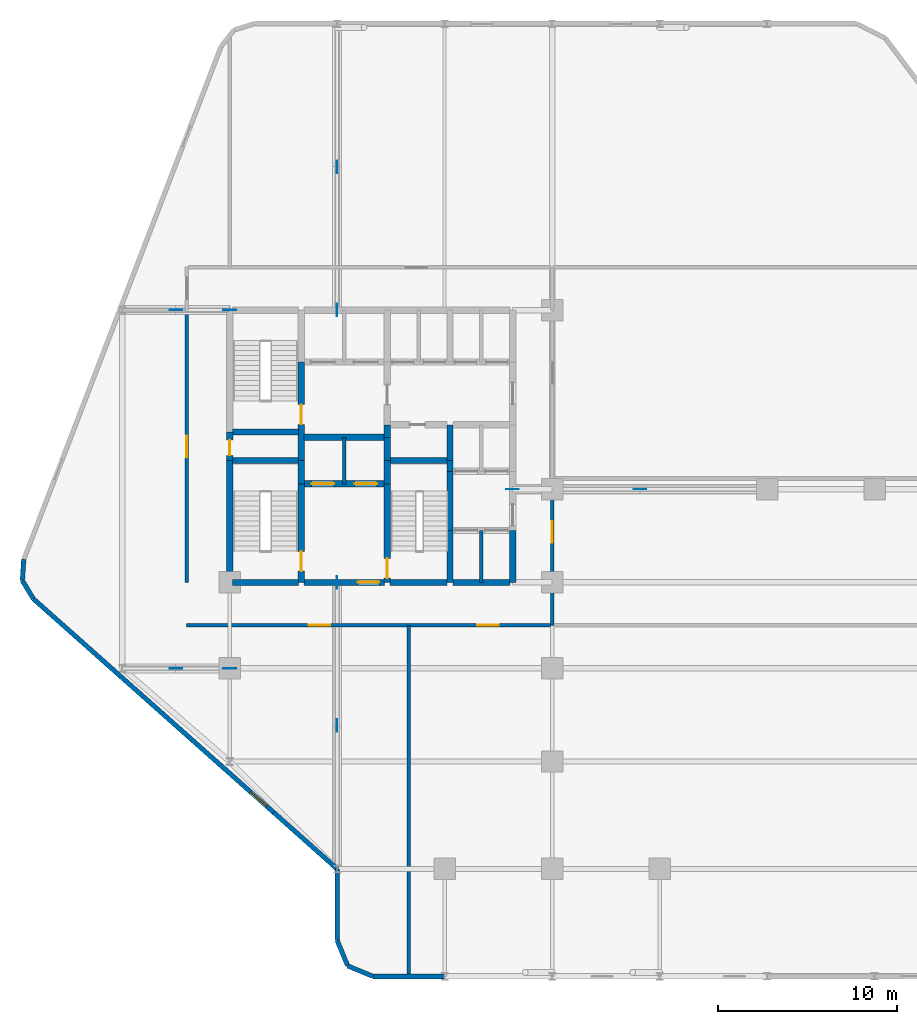
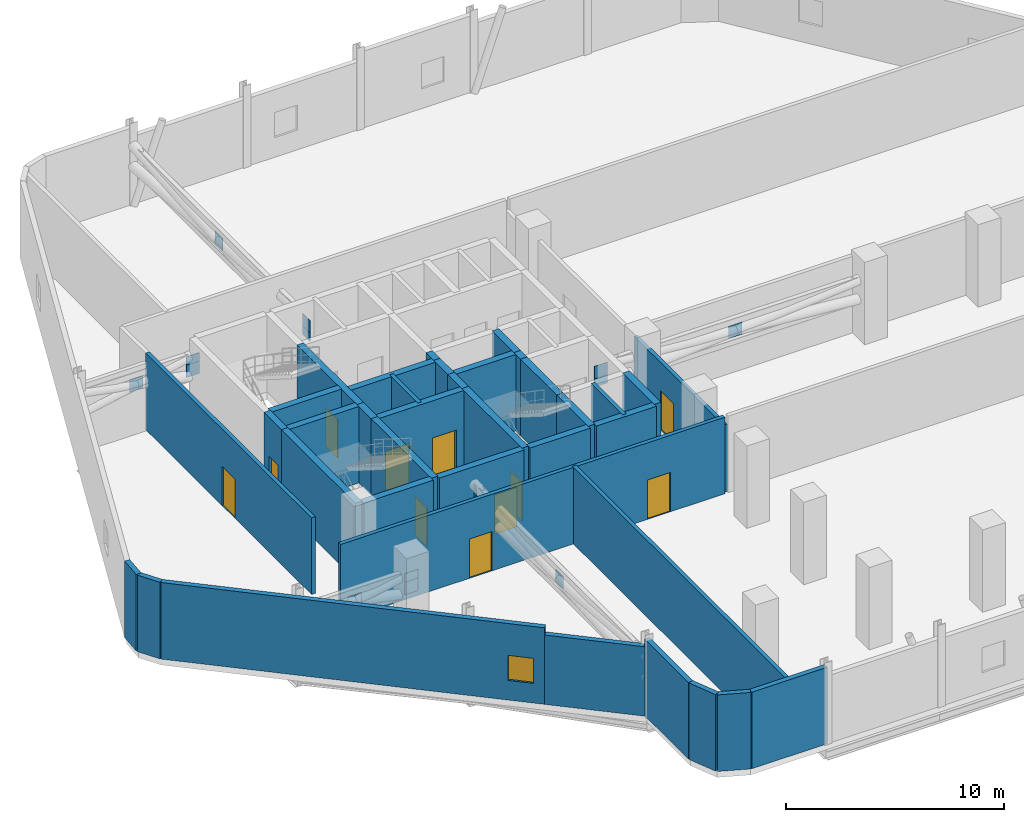
# One storey, part 5 of 9: 37 walls, 15 plates, 11 doors, 1 window, 12 openings.
"""IFC4 building model written with IfcOpenShell, lengths in metres."""

from ifc_helpers import new_model, si_unit, direction, frame, frame_2d, origin, origin_2d, place, context, subcontext, project, spatial, rectangle, extrude, material, layer, layer_set, type_object, element, fill, save


model = new_model("IFC4")

# Units and contexts
model_context = context("Model", 3, precision=1e-05, world=origin(), true_north=direction((0.0, 1.0)))
body_context = subcontext(model_context, "Body", "Model", "MODEL_VIEW")
ifc_project = project(units=[si_unit("LENGTHUNIT", "METRE"), si_unit("AREAUNIT", "SQUARE_METRE"), si_unit("VOLUMEUNIT", "CUBIC_METRE"), si_unit("PLANEANGLEUNIT", "RADIAN"), si_unit("MASSUNIT", "GRAM", prefix="KILO")], contexts=[model_context])

# Site, building, storey
site_placement = place(None, origin())
site = spatial("IfcSite", under=ifc_project, at=site_placement, CompositionType="ELEMENT")
building_placement = place(site_placement, origin())
building = spatial("IfcBuilding", under=site, at=building_placement, Name="Keshet Zoharim Tower", CompositionType="ELEMENT")
storey_placement = place(building_placement, frame((0.0, 0.0, 61.0)))
storey = spatial("IfcBuildingStorey", under=building, at=storey_placement, Name="L14", CompositionType="ELEMENT", Elevation=61.0)

# Plates
ifc_material_1 = material(Name="Steel S355", Category="steel")
ifc_layer_1 = layer(ifc_material_1, 0.02490234375)
ifc_layer_set_1 = layer_set([ifc_layer_1], Name="Steel S355")
plate_type = type_object("IfcPlateType", Name="PL-GUS-25", PredefinedType="SHEET", material=ifc_layer_set_1)
for number, where, z_axis, x_axis, name in (
    (1, (15.0, 17.89990234375, 2.14990234375), (0.0, 0.0, 1.0), (1.0, 0.0, 0.0), "L14 Core Outrigger Anchor Gusset W1"),
    (2, (15.0, 17.89990234375, 2.6201171875), (0.0, 0.0, 1.0), (1.0, 0.0, 0.0), "L14 Core Outrigger Top Chord Anchor Gusset W1"),
    (3, (12.0, 17.89990234375, 2.38525390625), (0.0, 0.0, 1.0), (1.0, 0.0, 0.0), "L14 Core Outrigger X-Crossing Gusset W1"),
    (4, (15.0, 37.89990234375, 2.14990234375), (0.0, 0.0, 1.0), (1.0, 0.0, 0.0), "L14 Core Outrigger Anchor Gusset W2"),
    (5, (15.0, 37.89990234375, 2.6201171875), (0.0, 0.0, 1.0), (1.0, 0.0, 0.0), "L14 Core Outrigger Top Chord Anchor Gusset W2"),
    (6, (12.0, 37.89990234375, 2.38525390625), (0.0, 0.0, 1.0), (1.0, 0.0, 0.0), "L14 Core Outrigger X-Crossing Gusset W2"),
    (7, (30.800048828125, 27.89990234375, 2.14990234375), (0.0, 0.0, 1.0), (1.0, 0.0, 0.0), "L14 Core Outrigger Anchor Gusset E1"),
    (8, (30.800048828125, 27.89990234375, 2.6201171875), (0.0, 0.0, 1.0), (1.0, 0.0, 0.0), "L14 Core Outrigger Top Chord Anchor Gusset E1"),
    (9, (37.89990234375, 27.89990234375, 2.38525390625), (0.0, 0.0, 1.0), (1.0, 0.0, 0.0), "L14 Core Outrigger X-Crossing Gusset E1"),
    (10, (21.0, 22.699951171875, 2.14990234375), (0.0, 0.0, 1.0), (0.0, 1.0, 0.0), "L14 Core Outrigger Anchor Gusset S1"),
    (11, (21.0, 22.699951171875, 2.6201171875), (0.0, 0.0, 1.0), (0.0, 1.0, 0.0), "L14 Core Outrigger Top Chord Anchor Gusset S1"),
    (12, (21.0, 14.699951171875, 2.38525390625), (0.0, 0.0, 1.0), (0.0, 1.0, 0.0), "L14 Core Outrigger X-Crossing Gusset S1"),
    (13, (21.0, 37.89990234375, 2.14990234375), (0.0, 0.0, 1.0), (0.0, 1.0, 0.0), "L14 Core Outrigger Anchor Gusset N1"),
    (14, (21.0, 37.89990234375, 2.6201171875), (0.0, 0.0, 1.0), (0.0, 1.0, 0.0), "L14 Core Outrigger Top Chord Anchor Gusset N1"),
    (15, (21.0, 45.89990234375, 2.38525390625), (0.0, 0.0, 1.0), (0.0, 1.0, 0.0), "L14 Core Outrigger X-Crossing Gusset N1"),
):
    element("IfcPlate", number, at=place(storey_placement, frame(where, z_axis=z_axis, x_axis=x_axis)), inside=storey, type_object=plate_type, Name=name, PredefinedType="SHEET", context=body_context, shape_type="SweptSolid", body=[
        extrude(rectangle(XDim=0.699951171875, YDim=0.02490234375, at=origin_2d()), origin(), (0.0, 0.0, 1.0), 0.699951171875),
    ])

# Wall
ifc_material_2 = material(Name="Concrete C60/75", Category="concrete")
ifc_layer_2 = layer(ifc_material_2, 0.35009765625)
ifc_layer_set_2 = layer_set([ifc_layer_2], Name="Concrete C60/75")
wall_type_1 = type_object("IfcWallType", Name="WL-CORE-350", PredefinedType="SHEAR", material=ifc_layer_set_2)
wall_1_placement = place(storey_placement, frame((15.0, 22.699951171875, 0.0), z_axis=(0.0, 0.0, 1.0), x_axis=(0.0, 1.0, 0.0)))
element("IfcWall", 16, at=wall_1_placement, inside=storey, type_object=wall_type_1, Name="L14 Core Shear Wall 003", PredefinedType="SHEAR", context=body_context, shape_type="SweptSolid", body=[
    extrude(rectangle(XDim=6.800048828125, YDim=0.35009765625, at=frame_2d((3.39990234375, 0.0))), origin(), (0.0, 0.0, 1.0), 4.280029296875),
])

# Wall, opening, door
wall_2_placement = place(storey_placement, frame((15.0, 29.5, 0.0), z_axis=(0.0, 0.0, 1.0), x_axis=(0.0, 1.0, 0.0)))
wall_2 = element("IfcWall", 17, at=wall_2_placement, inside=storey, type_object=wall_type_1, Name="L14 Core Shear Wall 004", PredefinedType="SHEAR", context=body_context, shape_type="SweptSolid", body=[
    extrude(rectangle(XDim=1.60009765625, YDim=0.35009765625, at=frame_2d((0.800048828125, 0.0))), origin(), (0.0, 0.0, 1.0), 4.280029296875),
])
opening_1_placement = place(wall_2_placement, frame((0.287109375, 0.0, 0.0)))
opening_1 = element("IfcOpeningElement", 18, at=opening_1_placement, cuts=wall_2, Name="Opening D-RS85", PredefinedType="OPENING", context=body_context, shape_type="SweptSolid", body=[
    extrude(rectangle(XDim=0.85009765625, YDim=2.10009765625, at=frame_2d((0.425048828125, 1.050048828125))), frame((0.0, 0.18505859375, 0.0), z_axis=(0.0, -1.0, 0.0), x_axis=(1.0, 0.0, 0.0)), (0.0, 0.0, 1.0), 0.3701171875),
])
ifc_material_3 = material(Name="Hardwood Timber", Category="wood")
door_type_1 = type_object("IfcDoorType", Name="DR-RIS-085", OperationType="NOTDEFINED", PredefinedType="DOOR", material=ifc_material_3)
door_1_placement = place(opening_1_placement, origin())
door_1 = element("IfcDoor", 19, at=door_1_placement, inside=storey, type_object=door_type_1, Name="L14 Electrical Riser Access Cupboard Door", OperationType="SINGLE_SWING_RIGHT", OverallHeight=2.10009765625, OverallWidth=0.85009765625, PredefinedType="DOOR", context=body_context, shape_type="SweptSolid", body=[
    extrude(rectangle(XDim=0.85009765625, YDim=2.10009765625, at=frame_2d((0.425048828125, 1.050048828125))), frame((0.0, 0.02490234375, 0.0), z_axis=(0.0, -1.0, 0.0), x_axis=(1.0, 0.0, 0.0)), (0.0, 0.0, 1.0), 0.050048828125),
])
fill(opening_1, door_1)

wall_3_placement = place(storey_placement, frame((19.0, 22.699951171875, 0.0), z_axis=(0.0, 0.0, 1.0), x_axis=(0.0, 1.0, 0.0)))
wall_3 = element("IfcWall", 20, at=wall_3_placement, inside=storey, type_object=wall_type_1, Name="L14 Core Shear Wall 007", PredefinedType="SHEAR", context=body_context, shape_type="SweptSolid", body=[
    extrude(rectangle(XDim=5.5, YDim=0.35009765625, at=frame_2d((2.75, 0.0))), origin(), (0.0, 0.0, 1.0), 4.280029296875),
])
opening_2_placement = place(wall_3_placement, frame((0.631103515625, 0.0, 0.0)))
opening_2 = element("IfcOpeningElement", 21, at=opening_2_placement, cuts=wall_3, Name="Opening D-F611", PredefinedType="OPENING", context=body_context, shape_type="SweptSolid", body=[
    extrude(rectangle(XDim=1.10009765625, YDim=2.14990234375, at=frame_2d((0.550048828125, 1.074951171875))), frame((0.0, 0.18505859375, 0.0), z_axis=(0.0, -1.0, 0.0), x_axis=(1.0, 0.0, 0.0)), (0.0, 0.0, 1.0), 0.3701171875),
])
door_type_2 = type_object("IfcDoorType", Name="DR-FD60-110", OperationType="NOTDEFINED", PredefinedType="DOOR", material=ifc_material_3)
door_2_placement = place(opening_2_placement, origin())
door_2 = element("IfcDoor", 22, at=door_2_placement, inside=storey, type_object=door_type_2, Name="L14 Exit Stair ST-01 Fire Door", OperationType="SINGLE_SWING_LEFT", OverallHeight=2.14990234375, OverallWidth=1.10009765625, PredefinedType="DOOR", context=body_context, shape_type="SweptSolid", body=[
    extrude(rectangle(XDim=1.10009765625, YDim=2.14990234375, at=frame_2d((0.550048828125, 1.074951171875))), frame((0.0, 0.02490234375, 0.0), z_axis=(0.0, -1.0, 0.0), x_axis=(1.0, 0.0, 0.0)), (0.0, 0.0, 1.0), 0.050048828125),
])
fill(opening_2, door_2)

# Wall
wall_4_placement = place(storey_placement, frame((19.0, 28.199951171875, 0.0), z_axis=(0.0, 0.0, 1.0), x_axis=(0.0, 1.0, 0.0)))
element("IfcWall", 23, at=wall_4_placement, inside=storey, type_object=wall_type_1, Name="L14 Core Shear Wall 008", PredefinedType="SHEAR", context=body_context, shape_type="SweptSolid", body=[
    extrude(rectangle(XDim=1.300048828125, YDim=0.35009765625, at=frame_2d((0.64990234375, 0.0))), origin(), (0.0, 0.0, 1.0), 4.280029296875),
])

# Wall, opening, door
wall_5_placement = place(storey_placement, frame((19.0, 29.5, 0.0), z_axis=(0.0, 0.0, 1.0), x_axis=(0.0, 1.0, 0.0)))
wall_5 = element("IfcWall", 24, at=wall_5_placement, inside=storey, type_object=wall_type_1, Name="L14 Core Shear Wall 009", PredefinedType="SHEAR", context=body_context, shape_type="SweptSolid", body=[
    extrude(rectangle(XDim=5.5, YDim=0.35009765625, at=frame_2d((2.75, 0.0))), origin(), (0.0, 0.0, 1.0), 4.280029296875),
])
opening_3_placement = place(wall_5_placement, frame((2.02490234375, 0.0, 0.0)))
opening_3 = element("IfcOpeningElement", 25, at=opening_3_placement, cuts=wall_5, Name="Opening D-F611", PredefinedType="OPENING", context=body_context, shape_type="SweptSolid", body=[
    extrude(rectangle(XDim=1.10009765625, YDim=2.14990234375, at=frame_2d((0.550048828125, 1.074951171875))), frame((0.0, 0.18505859375, 0.0), z_axis=(0.0, -1.0, 0.0), x_axis=(1.0, 0.0, 0.0)), (0.0, 0.0, 1.0), 0.3701171875),
])
door_3_placement = place(opening_3_placement, origin())
door_3 = element("IfcDoor", 26, at=door_3_placement, inside=storey, type_object=door_type_2, Name="L14 Exit Stair ST-02 Fire Door", OperationType="SINGLE_SWING_RIGHT", OverallHeight=2.14990234375, OverallWidth=1.10009765625, PredefinedType="DOOR", context=body_context, shape_type="SweptSolid", body=[
    extrude(rectangle(XDim=1.10009765625, YDim=2.14990234375, at=frame_2d((0.550048828125, 1.074951171875))), frame((0.0, 0.02490234375, 0.0), z_axis=(0.0, -1.0, 0.0), x_axis=(1.0, 0.0, 0.0)), (0.0, 0.0, 1.0), 0.050048828125),
])
fill(opening_3, door_3)

wall_6_placement = place(storey_placement, frame((23.800048828125, 22.699951171875, 0.0), z_axis=(0.0, 0.0, 1.0), x_axis=(0.0, 1.0, 0.0)))
wall_6 = element("IfcWall", 27, at=wall_6_placement, inside=storey, type_object=wall_type_1, Name="L14 Core Shear Wall 013", PredefinedType="SHEAR", context=body_context, shape_type="SweptSolid", body=[
    extrude(rectangle(XDim=5.5, YDim=0.35009765625, at=frame_2d((2.75, 0.0))), origin(), (0.0, 0.0, 1.0), 4.280029296875),
])
opening_4_placement = place(wall_6_placement, frame((0.235107421875, 0.0, 0.0)))
opening_4 = element("IfcOpeningElement", 28, at=opening_4_placement, cuts=wall_6, Name="Opening D-F611", PredefinedType="OPENING", context=body_context, shape_type="SweptSolid", body=[
    extrude(rectangle(XDim=1.10009765625, YDim=2.14990234375, at=frame_2d((0.550048828125, 1.074951171875))), frame((0.0, 0.18505859375, 0.0), z_axis=(0.0, -1.0, 0.0), x_axis=(1.0, 0.0, 0.0)), (0.0, 0.0, 1.0), 0.3701171875),
])
door_4_placement = place(opening_4_placement, frame((1.10009765625, 0.0, 0.0), z_axis=(0.0, 0.0, 1.0), x_axis=(-1.0, 0.0, 0.0)))
door_4 = element("IfcDoor", 29, at=door_4_placement, inside=storey, type_object=door_type_2, Name="L14 Exit Stair ST-03 Fire Door", OperationType="SINGLE_SWING_LEFT", OverallHeight=2.14990234375, OverallWidth=1.10009765625, PredefinedType="DOOR", context=body_context, shape_type="SweptSolid", body=[
    extrude(rectangle(XDim=1.10009765625, YDim=2.14990234375, at=frame_2d((0.550048828125, 1.074951171875))), frame((0.0, 0.02490234375, 0.0), z_axis=(0.0, -1.0, 0.0), x_axis=(1.0, 0.0, 0.0)), (0.0, 0.0, 1.0), 0.050048828125),
])
fill(opening_4, door_4)

# Walls
for number, where, z_axis, x_axis, name in (
    (30, (23.800048828125, 28.199951171875, 0.0), (0.0, 0.0, 1.0), (0.0, 1.0, 0.0), "L14 Core Shear Wall 014"),
    (31, (23.800048828125, 29.5, 0.0), (0.0, 0.0, 1.0), (0.0, 1.0, 0.0), "L14 Core Shear Wall 015"),
):
    element("IfcWall", number, at=place(storey_placement, frame(where, z_axis=z_axis, x_axis=x_axis)), inside=storey, type_object=wall_type_1, Name=name, PredefinedType="SHEAR", context=body_context, shape_type="SweptSolid", body=[
        extrude(rectangle(XDim=1.300048828125, YDim=0.35009765625, at=frame_2d((0.64990234375, 0.0))), origin(), (0.0, 0.0, 1.0), 4.280029296875),
    ])
wall_7_placement = place(storey_placement, frame((23.800048828125, 30.800048828125, 0.0), z_axis=(0.0, 0.0, 1.0), x_axis=(0.0, 1.0, 0.0)))
element("IfcWall", 32, at=wall_7_placement, inside=storey, type_object=wall_type_1, Name="L14 Core Shear Wall 016", PredefinedType="SHEAR", context=body_context, shape_type="SweptSolid", body=[
    extrude(rectangle(XDim=0.699951171875, YDim=0.35009765625, at=frame_2d((0.35009765625, 0.0))), origin(), (0.0, 0.0, 1.0), 4.280029296875),
])
wall_8_placement = place(storey_placement, frame((27.300048828125, 22.699951171875, 0.0), z_axis=(0.0, 0.0, 1.0), x_axis=(0.0, 1.0, 0.0)))
element("IfcWall", 33, at=wall_8_placement, inside=storey, type_object=wall_type_1, Name="L14 Core Shear Wall 021", PredefinedType="SHEAR", context=body_context, shape_type="SweptSolid", body=[
    extrude(rectangle(XDim=2.900146484375, YDim=0.35009765625, at=frame_2d((1.4501953125, 0.0))), origin(), (0.0, 0.0, 1.0), 4.280029296875),
])
wall_9_placement = place(storey_placement, frame((27.300048828125, 25.60009765625, 0.0), z_axis=(0.0, 0.0, 1.0), x_axis=(0.0, 1.0, 0.0)))
element("IfcWall", 34, at=wall_9_placement, inside=storey, type_object=wall_type_1, Name="L14 Core Shear Wall 022", PredefinedType="SHEAR", context=body_context, shape_type="SweptSolid", body=[
    extrude(rectangle(XDim=3.2998046875, YDim=0.35009765625, at=frame_2d((1.64990234375, 0.0))), origin(), (0.0, 0.0, 1.0), 4.280029296875),
])
wall_10_placement = place(storey_placement, frame((27.300048828125, 28.89990234375, 0.0), z_axis=(0.0, 0.0, 1.0), x_axis=(0.0, 1.0, 0.0)))
element("IfcWall", 35, at=wall_10_placement, inside=storey, type_object=wall_type_1, Name="L14 Core Shear Wall 023", PredefinedType="SHEAR", context=body_context, shape_type="SweptSolid", body=[
    extrude(rectangle(XDim=0.60009765625, YDim=0.35009765625, at=frame_2d((0.300048828125, 0.0))), origin(), (0.0, 0.0, 1.0), 4.280029296875),
])
wall_11_placement = place(storey_placement, frame((27.300048828125, 29.5, 0.0), z_axis=(0.0, 0.0, 1.0), x_axis=(0.0, 1.0, 0.0)))
element("IfcWall", 36, at=wall_11_placement, inside=storey, type_object=wall_type_1, Name="L14 Core Shear Wall 024", PredefinedType="SHEAR", context=body_context, shape_type="SweptSolid", body=[
    extrude(rectangle(XDim=2.0, YDim=0.35009765625, at=frame_2d((1.0, 0.0))), origin(), (0.0, 0.0, 1.0), 4.280029296875),
])
wall_12_placement = place(storey_placement, frame((30.800048828125, 22.699951171875, 0.0), z_axis=(0.0, 0.0, 1.0), x_axis=(0.0, 1.0, 0.0)))
element("IfcWall", 37, at=wall_12_placement, inside=storey, type_object=wall_type_1, Name="L14 Core Shear Wall 029", PredefinedType="SHEAR", context=body_context, shape_type="SweptSolid", body=[
    extrude(rectangle(XDim=2.900146484375, YDim=0.35009765625, at=frame_2d((1.4501953125, 0.0))), origin(), (0.0, 0.0, 1.0), 4.280029296875),
])
wall_13_placement = place(storey_placement, frame((15.159912109375, 22.699951171875, 0.0), z_axis=(0.0, 0.0, 1.0), x_axis=(1.0, 0.0, 0.0)))
element("IfcWall", 38, at=wall_13_placement, inside=storey, type_object=wall_type_1, Name="L14 Core Shear Wall 038", PredefinedType="SHEAR", context=body_context, shape_type="SweptSolid", body=[
    extrude(rectangle(XDim=3.68017578125, YDim=0.35009765625, at=frame_2d((1.840087890625, 0.0))), origin(), (0.0, 0.0, 1.0), 4.280029296875),
])

# Wall, opening, door
wall_14_placement = place(storey_placement, frame((19.159912109375, 22.699951171875, 0.0), z_axis=(0.0, 0.0, 1.0), x_axis=(1.0, 0.0, 0.0)))
wall_14 = element("IfcWall", 39, at=wall_14_placement, inside=storey, type_object=wall_type_1, Name="L14 Core Shear Wall 039", PredefinedType="SHEAR", context=body_context, shape_type="SweptSolid", body=[
    extrude(rectangle(XDim=4.47998046875, YDim=0.35009765625, at=frame_2d((2.239990234375, 0.0))), origin(), (0.0, 0.0, 1.0), 4.280029296875),
])
opening_5_placement = place(wall_14_placement, frame((2.989990234375, 0.0, 0.0)))
opening_5 = element("IfcOpeningElement", 40, at=opening_5_placement, cuts=wall_14, Name="Opening D-F612", PredefinedType="OPENING", context=body_context, shape_type="SweptSolid", body=[
    extrude(rectangle(XDim=1.199951171875, YDim=2.199951171875, at=frame_2d((0.60009765625, 1.10009765625))), frame((0.0, 0.18505859375, 0.0), z_axis=(0.0, -1.0, 0.0), x_axis=(1.0, 0.0, 0.0)), (0.0, 0.0, 1.0), 0.3701171875),
])
door_type_3 = type_object("IfcDoorType", Name="DR-FD60-120", OperationType="NOTDEFINED", PredefinedType="DOOR", material=ifc_material_3)
door_5_placement = place(opening_5_placement, origin())
door_5 = element("IfcDoor", 41, at=door_5_placement, inside=storey, type_object=door_type_3, Name="L14 South Core Lobby Fire Door", OperationType="SINGLE_SWING_LEFT", OverallHeight=2.199951171875, OverallWidth=1.199951171875, PredefinedType="DOOR", context=body_context, shape_type="SweptSolid", body=[
    extrude(rectangle(XDim=1.199951171875, YDim=2.199951171875, at=frame_2d((0.60009765625, 1.10009765625))), frame((0.0, 0.02490234375, 0.0), z_axis=(0.0, -1.0, 0.0), x_axis=(1.0, 0.0, 0.0)), (0.0, 0.0, 1.0), 0.050048828125),
])
fill(opening_5, door_5)

# Walls
for number, where, z_axis, x_axis, name in (
    (42, (23.9599609375, 22.699951171875, 0.0), (0.0, 0.0, 1.0), (1.0, 0.0, 0.0), "L14 Core Shear Wall 040"),
    (43, (27.4599609375, 22.699951171875, 0.0), (0.0, 0.0, 1.0), (1.0, 0.0, 0.0), "L14 Core Shear Wall 041"),
):
    element("IfcWall", number, at=place(storey_placement, frame(where, z_axis=z_axis, x_axis=x_axis)), inside=storey, type_object=wall_type_1, Name=name, PredefinedType="SHEAR", context=body_context, shape_type="SweptSolid", body=[
        extrude(rectangle(XDim=3.179931640625, YDim=0.35009765625, at=frame_2d((1.58984375, 0.0))), origin(), (0.0, 0.0, 1.0), 4.280029296875),
    ])

# Wall, openings, doors
wall_15_placement = place(storey_placement, frame((19.159912109375, 28.199951171875, 0.0), z_axis=(0.0, 0.0, 1.0), x_axis=(1.0, 0.0, 0.0)))
wall_15 = element("IfcWall", 44, at=wall_15_placement, inside=storey, type_object=wall_type_1, Name="L14 Core Shear Wall 043", PredefinedType="SHEAR", context=body_context, shape_type="SweptSolid", body=[
    extrude(rectangle(XDim=4.47998046875, YDim=0.35009765625, at=frame_2d((2.239990234375, 0.0))), origin(), (0.0, 0.0, 1.0), 4.280029296875),
])
opening_6_placement = place(wall_15_placement, frame((0.4150390625, 0.0, 0.0)))
opening_6 = element("IfcOpeningElement", 45, at=opening_6_placement, cuts=wall_15, Name="Opening LD-01", PredefinedType="OPENING", context=body_context, shape_type="SweptSolid", body=[
    extrude(rectangle(XDim=1.25, YDim=2.199951171875, at=frame_2d((0.625, 1.10009765625))), frame((0.0, 0.18505859375, 0.0), z_axis=(0.0, -1.0, 0.0), x_axis=(1.0, 0.0, 0.0)), (0.0, 0.0, 1.0), 0.3701171875),
])
opening_7_placement = place(wall_15_placement, frame((2.81494140625, 0.0, 0.0)))
opening_7 = element("IfcOpeningElement", 46, at=opening_7_placement, cuts=wall_15, Name="Opening LD-01", PredefinedType="OPENING", context=body_context, shape_type="SweptSolid", body=[
    extrude(rectangle(XDim=1.25, YDim=2.199951171875, at=frame_2d((0.625, 1.10009765625))), frame((0.0, 0.18505859375, 0.0), z_axis=(0.0, -1.0, 0.0), x_axis=(1.0, 0.0, 0.0)), (0.0, 0.0, 1.0), 0.3701171875),
])
door_type_4 = type_object("IfcDoorType", Name="DR-LD01-125", OperationType="DOUBLE_DOOR_SLIDING", PredefinedType="DOOR", material=ifc_material_1)
door_6_placement = place(opening_6_placement, origin())
door_6 = element("IfcDoor", 47, at=door_6_placement, inside=storey, type_object=door_type_4, Name="L14 Passenger Lift Landing Door LF-09", OperationType="DOUBLE_DOOR_SLIDING", OverallHeight=2.199951171875, OverallWidth=1.25, PredefinedType="DOOR", context=body_context, shape_type="SweptSolid", body=[
    extrude(rectangle(XDim=1.25, YDim=2.199951171875, at=frame_2d((0.625, 1.10009765625))), frame((0.0, 0.02490234375, 0.0), z_axis=(0.0, -1.0, 0.0), x_axis=(1.0, 0.0, 0.0)), (0.0, 0.0, 1.0), 0.050048828125),
])
fill(opening_6, door_6)
door_7_placement = place(opening_7_placement, origin())
door_7 = element("IfcDoor", 48, at=door_7_placement, inside=storey, type_object=door_type_4, Name="L14 Passenger Lift Landing Door LF-10", OperationType="DOUBLE_DOOR_SLIDING", OverallHeight=2.199951171875, OverallWidth=1.25, PredefinedType="DOOR", context=body_context, shape_type="SweptSolid", body=[
    extrude(rectangle(XDim=1.25, YDim=2.199951171875, at=frame_2d((0.625, 1.10009765625))), frame((0.0, 0.02490234375, 0.0), z_axis=(0.0, -1.0, 0.0), x_axis=(1.0, 0.0, 0.0)), (0.0, 0.0, 1.0), 0.050048828125),
])
fill(opening_7, door_7)

# Walls
wall_16_placement = place(storey_placement, frame((15.159912109375, 29.5, 0.0), z_axis=(0.0, 0.0, 1.0), x_axis=(1.0, 0.0, 0.0)))
element("IfcWall", 49, at=wall_16_placement, inside=storey, type_object=wall_type_1, Name="L14 Core Shear Wall 046", PredefinedType="SHEAR", context=body_context, shape_type="SweptSolid", body=[
    extrude(rectangle(XDim=3.68017578125, YDim=0.35009765625, at=frame_2d((1.840087890625, 0.0))), origin(), (0.0, 0.0, 1.0), 4.280029296875),
])
wall_17_placement = place(storey_placement, frame((23.9599609375, 29.5, 0.0), z_axis=(0.0, 0.0, 1.0), x_axis=(1.0, 0.0, 0.0)))
element("IfcWall", 50, at=wall_17_placement, inside=storey, type_object=wall_type_1, Name="L14 Core Shear Wall 047", PredefinedType="SHEAR", context=body_context, shape_type="SweptSolid", body=[
    extrude(rectangle(XDim=3.179931640625, YDim=0.35009765625, at=frame_2d((1.58984375, 0.0))), origin(), (0.0, 0.0, 1.0), 4.280029296875),
])
wall_18_placement = place(storey_placement, frame((19.159912109375, 30.800048828125, 0.0), z_axis=(0.0, 0.0, 1.0), x_axis=(1.0, 0.0, 0.0)))
element("IfcWall", 51, at=wall_18_placement, inside=storey, type_object=wall_type_1, Name="L14 Core Shear Wall 048", PredefinedType="SHEAR", context=body_context, shape_type="SweptSolid", body=[
    extrude(rectangle(XDim=4.47998046875, YDim=0.35009765625, at=frame_2d((2.239990234375, 0.0))), origin(), (0.0, 0.0, 1.0), 4.280029296875),
])
wall_19_placement = place(storey_placement, frame((15.159912109375, 31.10009765625, 0.0), z_axis=(0.0, 0.0, 1.0), x_axis=(1.0, 0.0, 0.0)))
element("IfcWall", 52, at=wall_19_placement, inside=storey, type_object=wall_type_1, Name="L14 Core Shear Wall 049", PredefinedType="SHEAR", context=body_context, shape_type="SweptSolid", body=[
    extrude(rectangle(XDim=3.68017578125, YDim=0.35009765625, at=frame_2d((1.840087890625, 0.0))), origin(), (0.0, 0.0, 1.0), 4.280029296875),
])
ifc_material_4 = material(Name="Concrete C50/60 precast", Category="concrete")
ifc_layer_3 = layer(ifc_material_4, 0.260009765625)
ifc_layer_set_3 = layer_set([ifc_layer_3], Name="Concrete C50/60 precast")
wall_type_2 = type_object("IfcWallType", Name="WL-EXT-260", PredefinedType="STANDARD", material=ifc_layer_set_3)
wall_20_placement = place(storey_placement, frame((21.0, 6.699951171875, 0.0), z_axis=(0.0, 0.0, 1.0), x_axis=(-0.74741780008, 0.664354297137, 0.0)))
element("IfcWall", 53, at=wall_20_placement, inside=storey, type_object=wall_type_2, Name="L14 Exterior Facade Wall 01", PredefinedType="STANDARD", context=body_context, shape_type="SweptSolid", body=[
    extrude(rectangle(XDim=4.764404296875, YDim=0.260009765625, at=frame_2d((2.38232421875, 0.0))), origin(), (0.0, 0.0, 1.0), 3.8798828125),
])
wall_21_placement = place(storey_placement, frame((4.034912109375, 21.780029296875, 0.0), z_axis=(0.0, 0.0, 1.0), x_axis=(-0.51560906497, 0.856823956318, 0.0)))
element("IfcWall", 54, at=wall_21_placement, inside=storey, type_object=wall_type_2, Name="L14 Exterior Facade Wall 02", PredefinedType="STANDARD", context=body_context, shape_type="SweptSolid", body=[
    extrude(rectangle(XDim=1.192626953125, YDim=0.260009765625, at=frame_2d((0.59619140625, 0.0))), origin(), (0.0, 0.0, 1.0), 4.280029296875),
])
wall_22_placement = place(storey_placement, frame((3.419921875, 22.802001953125, 0.0), z_axis=(0.0, 0.0, 1.0), x_axis=(0.064645147091, 0.997908314906, 0.0)))
element("IfcWall", 55, at=wall_22_placement, inside=storey, type_object=wall_type_2, Name="L14 Exterior Facade Wall 03", PredefinedType="STANDARD", context=body_context, shape_type="SweptSolid", body=[
    extrude(rectangle(XDim=1.193359375, YDim=0.260009765625, at=frame_2d((0.5966796875, 0.0))), origin(), (0.0, 0.0, 1.0), 4.280029296875),
])
for number, where, z_axis, x_axis, name in (
    (56, (23.0, 0.699951171875, 0.0), (0.0, 0.0, 1.0), (-0.92383017907, 0.382802560388, 0.0), "L14 Exterior Facade Wall 27"),
    (57, (21.5859375, 1.285888671875, 0.0), (0.0, 0.0, 1.0), (-0.382802560388, 0.92383017907, 0.0), "L14 Exterior Facade Wall 28"),
):
    element("IfcWall", number, at=place(storey_placement, frame(where, z_axis=z_axis, x_axis=x_axis)), inside=storey, type_object=wall_type_2, Name=name, PredefinedType="STANDARD", context=body_context, shape_type="SweptSolid", body=[
        extrude(rectangle(XDim=1.53076171875, YDim=0.260009765625, at=frame_2d((0.765380859375, 0.0))), origin(), (0.0, 0.0, 1.0), 4.280029296875),
    ])
wall_23_placement = place(storey_placement, frame((21.0, 2.699951171875, 0.0), z_axis=(0.0, 0.0, 1.0), x_axis=(0.0, 1.0, 0.0)))
element("IfcWall", 58, at=wall_23_placement, inside=storey, type_object=wall_type_2, Name="L14 Exterior Facade Wall 29", PredefinedType="STANDARD", context=body_context, shape_type="SweptSolid", body=[
    extrude(rectangle(XDim=4.0, YDim=0.260009765625, at=frame_2d((2.0, 0.0))), origin(), (0.0, 0.0, 1.0), 4.280029296875),
])

# Wall, opening, window
wall_24_placement = place(storey_placement, frame((17.43896484375, 9.865234375, 0.0), z_axis=(0.0, 0.0, 1.0), x_axis=(-0.747407065455, 0.664366373703, 0.0)))
wall_24 = element("IfcWall", 59, at=wall_24_placement, inside=storey, type_object=wall_type_2, Name="L14 Exterior Facade Wall 01 Part 2", PredefinedType="STANDARD", context=body_context, shape_type="SweptSolid", body=[
    extrude(rectangle(XDim=17.93408203125, YDim=0.260009765625, at=frame_2d((8.967041015625, 0.0))), origin(), (0.0, 0.0, 1.0), 4.280029296875),
])
opening_8_placement = place(wall_24_placement, frame((0.510498046875, 0.0, 1.10009765625)))
opening_8 = element("IfcOpeningElement", 60, at=opening_8_placement, cuts=wall_24, Name="Opening W-120", PredefinedType="OPENING", context=body_context, shape_type="SweptSolid", body=[
    extrude(rectangle(XDim=1.199951171875, YDim=1.39990234375, at=frame_2d((0.60009765625, 0.699951171875))), frame((0.0, 0.14013671875, 0.0), z_axis=(0.0, -1.0, 0.0), x_axis=(1.0, 0.0, 0.0)), (0.0, 0.0, 1.0), 0.280029296875),
])
ifc_material_5 = material(Name="Insulated Low-E Clear Glass", Category="glass")
window_type = type_object("IfcWindowType", Name="WN-REF-120", PartitioningType="SINGLE_PANEL", PredefinedType="WINDOW", material=ifc_material_5)
window_placement = place(opening_8_placement, origin())
window = element("IfcWindow", 61, at=window_placement, inside=storey, type_object=window_type, Name="L14 Refuge Smoke Window 01", OverallHeight=1.39990234375, OverallWidth=1.199951171875, PartitioningType="SINGLE_PANEL", PredefinedType="WINDOW", context=body_context, shape_type="SweptSolid", body=[
    extrude(rectangle(XDim=1.199951171875, YDim=1.39990234375, at=frame_2d((0.60009765625, 0.699951171875))), frame((0.0, 0.030029296875, 0.0), z_axis=(0.0, -1.0, 0.0), x_axis=(1.0, 0.0, 0.0)), (0.0, 0.0, 1.0), 0.06005859375),
])
fill(opening_8, window)

# Wall
wall_25_placement = place(storey_placement, frame((27.0, 0.699951171875, 0.0), z_axis=(0.0, 0.0, 1.0), x_axis=(-1.0, 0.0, 0.0)))
element("IfcWall", 62, at=wall_25_placement, inside=storey, type_object=wall_type_2, Name="L14 Exterior Facade Wall 26 Part 4", PredefinedType="STANDARD", context=body_context, shape_type="SweptSolid", body=[
    extrude(rectangle(XDim=4.0, YDim=0.260009765625, at=frame_2d((2.0, 0.0))), origin(), (0.0, 0.0, 1.0), 4.280029296875),
])

# Wall, opening, door
ifc_material_6 = material(Name="Concrete C50/60", Category="concrete")
ifc_layer_4 = layer(ifc_material_6, 0.199951171875)
ifc_layer_set_4 = layer_set([ifc_layer_4], Name="Concrete C50/60")
wall_type_3 = type_object("IfcWallType", Name="WL-FIRE-200", PredefinedType="STANDARD", material=ifc_layer_set_4)
wall_26_placement = place(storey_placement, frame((12.60009765625, 22.699951171875, 0.0), z_axis=(0.0, 0.0, 1.0), x_axis=(0.0, 1.0, 0.0)))
wall_26 = element("IfcWall", 63, at=wall_26_placement, inside=storey, type_object=wall_type_3, Name="L14 Interior Wall 001", PredefinedType="STANDARD", context=body_context, shape_type="SweptSolid", body=[
    extrude(rectangle(XDim=15.199951171875, YDim=0.199951171875, at=frame_2d((7.60009765625, 0.0))), origin(), (0.0, 0.0, 1.0), 4.280029296875),
])
opening_9_placement = place(wall_26_placement, frame((7.0, 0.0, 0.0)))
opening_9 = element("IfcOpeningElement", 64, at=opening_9_placement, cuts=wall_26, Name="Opening D-F612", PredefinedType="OPENING", context=body_context, shape_type="SweptSolid", body=[
    extrude(rectangle(XDim=1.199951171875, YDim=2.199951171875, at=frame_2d((0.60009765625, 1.10009765625))), frame((0.0, 0.10986328125, 0.0), z_axis=(0.0, -1.0, 0.0), x_axis=(1.0, 0.0, 0.0)), (0.0, 0.0, 1.0), 0.219970703125),
])
door_8_placement = place(opening_9_placement, origin())
door_8 = element("IfcDoor", 65, at=door_8_placement, inside=storey, type_object=door_type_3, Name="L14 Refuge Area West Fire Door", OperationType="SINGLE_SWING_RIGHT", OverallHeight=2.199951171875, OverallWidth=1.199951171875, PredefinedType="DOOR", context=body_context, shape_type="SweptSolid", body=[
    extrude(rectangle(XDim=1.199951171875, YDim=2.199951171875, at=frame_2d((0.60009765625, 1.10009765625))), frame((0.0, 0.02490234375, 0.0), z_axis=(0.0, -1.0, 0.0), x_axis=(1.0, 0.0, 0.0)), (0.0, 0.0, 1.0), 0.050048828125),
])
fill(opening_9, door_8)

# Walls
wall_27_placement = place(storey_placement, frame((21.39990234375, 28.199951171875, 0.0), z_axis=(0.0, 0.0, 1.0), x_axis=(0.0, 1.0, 0.0)))
element("IfcWall", 66, at=wall_27_placement, inside=storey, type_object=wall_type_3, Name="L14 Interior Wall 011", PredefinedType="STANDARD", context=body_context, shape_type="SweptSolid", body=[
    extrude(rectangle(XDim=2.60009765625, YDim=0.199951171875, at=frame_2d((1.300048828125, 0.0))), origin(), (0.0, 0.0, 1.0), 4.280029296875),
])
wall_28_placement = place(storey_placement, frame((25.0, 0.7099609375, 0.0), z_axis=(0.0, 0.0, 1.0), x_axis=(0.0, 1.0, 0.0)))
element("IfcWall", 67, at=wall_28_placement, inside=storey, type_object=wall_type_3, Name="L14 Interior Wall 019", PredefinedType="STANDARD", context=body_context, shape_type="SweptSolid", body=[
    extrude(rectangle(XDim=19.590087890625, YDim=0.199951171875, at=frame_2d((9.794921875, 0.0))), origin(), (0.0, 0.0, 1.0), 4.280029296875),
])
wall_29_placement = place(storey_placement, frame((29.050048828125, 22.699951171875, 0.0), z_axis=(0.0, 0.0, 1.0), x_axis=(0.0, 1.0, 0.0)))
element("IfcWall", 68, at=wall_29_placement, inside=storey, type_object=wall_type_3, Name="L14 Interior Wall 026", PredefinedType="STANDARD", context=body_context, shape_type="SweptSolid", body=[
    extrude(rectangle(XDim=2.900146484375, YDim=0.199951171875, at=frame_2d((1.4501953125, 0.0))), origin(), (0.0, 0.0, 1.0), 4.280029296875),
])

# Wall, opening, door
wall_30_placement = place(storey_placement, frame((33.0, 20.300048828125, 0.0), z_axis=(0.0, 0.0, 1.0), x_axis=(0.0, 1.0, 0.0)))
wall_30 = element("IfcWall", 69, at=wall_30_placement, inside=storey, type_object=wall_type_3, Name="L14 Interior Wall 034", PredefinedType="STANDARD", context=body_context, shape_type="SweptSolid", body=[
    extrude(rectangle(XDim=8.199951171875, YDim=0.199951171875, at=frame_2d((4.10009765625, 0.0))), origin(), (0.0, 0.0, 1.0), 3.780029296875),
])
opening_10_placement = place(wall_30_placement, frame((4.60009765625, 0.0, 0.0)))
opening_10 = element("IfcOpeningElement", 70, at=opening_10_placement, cuts=wall_30, Name="Opening D-F612", PredefinedType="OPENING", context=body_context, shape_type="SweptSolid", body=[
    extrude(rectangle(XDim=1.199951171875, YDim=2.199951171875, at=frame_2d((0.60009765625, 1.10009765625))), frame((0.0, 0.10986328125, 0.0), z_axis=(0.0, -1.0, 0.0), x_axis=(1.0, 0.0, 0.0)), (0.0, 0.0, 1.0), 0.219970703125),
])
door_9_placement = place(opening_10_placement, origin())
door_9 = element("IfcDoor", 71, at=door_9_placement, inside=storey, type_object=door_type_3, Name="L14 Domestic Water Tank Room Fire Door", OperationType="SINGLE_SWING_LEFT", OverallHeight=2.199951171875, OverallWidth=1.199951171875, PredefinedType="DOOR", context=body_context, shape_type="SweptSolid", body=[
    extrude(rectangle(XDim=1.199951171875, YDim=2.199951171875, at=frame_2d((0.60009765625, 1.10009765625))), frame((0.0, 0.02490234375, 0.0), z_axis=(0.0, -1.0, 0.0), x_axis=(1.0, 0.0, 0.0)), (0.0, 0.0, 1.0), 0.050048828125),
])
fill(opening_10, door_9)

# Wall, openings, doors
wall_31_placement = place(storey_placement, frame((12.60009765625, 20.300048828125, 0.0), z_axis=(0.0, 0.0, 1.0), x_axis=(1.0, 0.0, 0.0)))
wall_31 = element("IfcWall", 72, at=wall_31_placement, inside=storey, type_object=wall_type_3, Name="L14 Interior Wall 036", PredefinedType="STANDARD", context=body_context, shape_type="SweptSolid", body=[
    extrude(rectangle(XDim=20.31494140625, YDim=0.199951171875, at=frame_2d((10.157470703125, 0.0))), origin(), (0.0, 0.0, 1.0), 4.280029296875),
])
opening_11_placement = place(wall_31_placement, frame((6.800048828125, 0.0, 0.0)))
opening_11 = element("IfcOpeningElement", 73, at=opening_11_placement, cuts=wall_31, Name="Opening D-F612", PredefinedType="OPENING", context=body_context, shape_type="SweptSolid", body=[
    extrude(rectangle(XDim=1.199951171875, YDim=2.199951171875, at=frame_2d((0.60009765625, 1.10009765625))), frame((0.0, 0.10986328125, 0.0), z_axis=(0.0, -1.0, 0.0), x_axis=(1.0, 0.0, 0.0)), (0.0, 0.0, 1.0), 0.219970703125),
])
opening_12_placement = place(wall_31_placement, frame((16.22509765625, 0.0, 0.0)))
opening_12 = element("IfcOpeningElement", 74, at=opening_12_placement, cuts=wall_31, Name="Opening D-F612", PredefinedType="OPENING", context=body_context, shape_type="SweptSolid", body=[
    extrude(rectangle(XDim=1.199951171875, YDim=2.199951171875, at=frame_2d((0.60009765625, 1.10009765625))), frame((0.0, 0.10986328125, 0.0), z_axis=(0.0, -1.0, 0.0), x_axis=(1.0, 0.0, 0.0)), (0.0, 0.0, 1.0), 0.219970703125),
])
door_10_placement = place(opening_11_placement, origin())
door_10 = element("IfcDoor", 75, at=door_10_placement, inside=storey, type_object=door_type_3, Name="L14 Electrical Switchgear Room Fire Door", OperationType="SINGLE_SWING_LEFT", OverallHeight=2.199951171875, OverallWidth=1.199951171875, PredefinedType="DOOR", context=body_context, shape_type="SweptSolid", body=[
    extrude(rectangle(XDim=1.199951171875, YDim=2.199951171875, at=frame_2d((0.60009765625, 1.10009765625))), frame((0.0, 0.02490234375, 0.0), z_axis=(0.0, -1.0, 0.0), x_axis=(1.0, 0.0, 0.0)), (0.0, 0.0, 1.0), 0.050048828125),
])
fill(opening_11, door_10)
door_11_placement = place(opening_12_placement, origin())
door_11 = element("IfcDoor", 76, at=door_11_placement, inside=storey, type_object=door_type_3, Name="L14 Chiller and Cooling Pump Room Fire Door", OperationType="SINGLE_SWING_RIGHT", OverallHeight=2.199951171875, OverallWidth=1.199951171875, PredefinedType="DOOR", context=body_context, shape_type="SweptSolid", body=[
    extrude(rectangle(XDim=1.199951171875, YDim=2.199951171875, at=frame_2d((0.60009765625, 1.10009765625))), frame((0.0, 0.02490234375, 0.0), z_axis=(0.0, -1.0, 0.0), x_axis=(1.0, 0.0, 0.0)), (0.0, 0.0, 1.0), 0.050048828125),
])
fill(opening_12, door_11)

save(model, "model.ifc")
